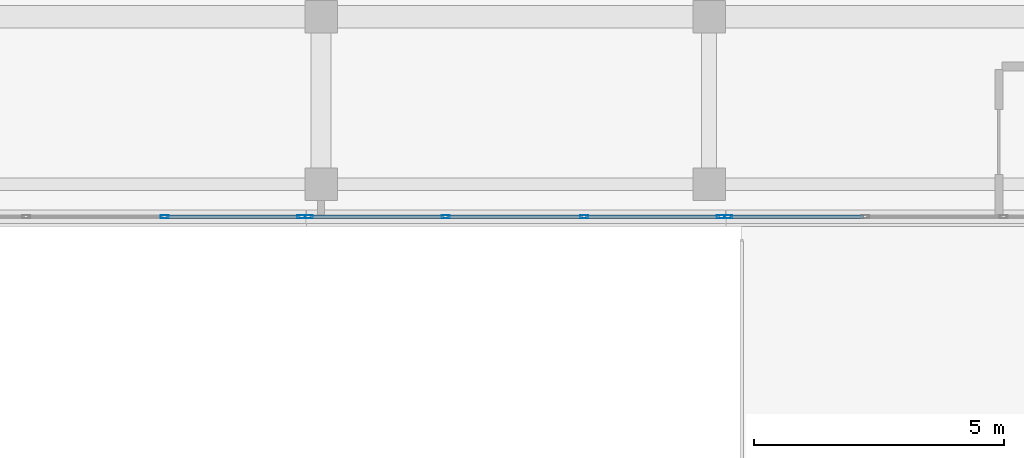
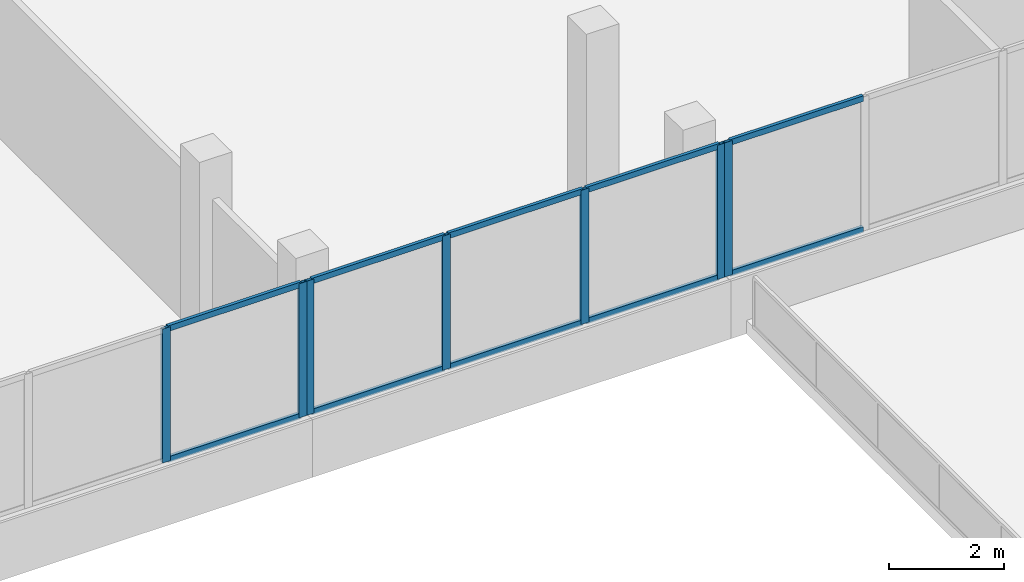
# One storey, part 35 of 76: 17 members, 3 elements without a shape of their own.
"""IFC4 building model written with IfcOpenShell, lengths in metres."""

import ifcopenshell
import ifcopenshell.guid

model = None  # the IFC model being written
_history = None  # IfcOwnerHistory: only IFC2X3 demands one
_inside = {}  # id of a spatial element -> (the spatial element, [elements in it])
_under = {}  # id of a project, library or spatial element -> (it, [spatial elements below it])
_declared = {}  # id of a project -> (the project, [libraries it declares])
_typed = {}  # id of a type object -> (the type object, [elements of that type])
_made_of = {}  # id of a material, layer set ... -> (it, [elements and type objects made of it])


def new_model(schema):
    """Start an empty IFC model of exactly this schema.

    Asked for "IFC4X3", IfcOpenShell would pick the latest addendum, in which some entities
    have other attributes; the version numbers below select the first issue.
    IFC2X3 requires an IfcOwnerHistory on every rooted entity: one is made here for all.
    """
    global model, _history
    if schema == "IFC4X3":
        model = ifcopenshell.file(schema_version=(4, 3, 0, 0))
    else:
        model = ifcopenshell.file(schema=schema)
    _inside.clear()
    _under.clear()
    _declared.clear()
    _typed.clear()
    _made_of.clear()
    _history = None
    if model.schema == "IFC2X3":
        org = make("IfcOrganization", Name="unknown")
        user = make(
            "IfcPersonAndOrganization",
            ThePerson=make("IfcPerson", FamilyName="unknown"),
            TheOrganization=org,
        )
        app = make(
            "IfcApplication",
            ApplicationDeveloper=org,
            Version="unknown",
            ApplicationFullName="unknown",
            ApplicationIdentifier="unknown",
        )
        _history = make(
            "IfcOwnerHistory",
            OwningUser=user,
            OwningApplication=app,
            ChangeAction="ADDED",
            CreationDate=0,
        )
    return model


def make(cls, **values):
    """One entity of the class cls with the attributes given. An attribute that is None is left unset."""
    return model.create_entity(
        cls, **{name: value for name, value in values.items() if value is not None}
    )


def rooted(cls, **values):
    """An entity with a GlobalId (a new one), such as an element, a storey or a relation."""
    return make(cls, GlobalId=ifcopenshell.guid.new(), OwnerHistory=_history, **values)


def si_unit(unit_type, name, prefix=None):
    """IfcSIUnit, for example si_unit("LENGTHUNIT", "METRE", prefix="MILLI")."""
    return make("IfcSIUnit", UnitType=unit_type, Prefix=prefix, Name=name)


def assignment(units):
    """IfcUnitAssignment: the units of a project."""
    return None if units is None else make("IfcUnitAssignment", Units=units)


def point(xyz):
    """IfcCartesianPoint."""
    return None if xyz is None else make("IfcCartesianPoint", Coordinates=xyz)


def direction(xyz):
    """IfcDirection."""
    return None if xyz is None else make("IfcDirection", DirectionRatios=xyz)


def frame(location, z_axis=None, x_axis=None):
    """IfcAxis2Placement3D, a coordinate frame: its origin and axes. An axis left out is left unset."""
    return make(
        "IfcAxis2Placement3D",
        Location=point(location),
        Axis=direction(z_axis),
        RefDirection=direction(x_axis),
    )


def frame_2d(location, x_axis=None):
    """IfcAxis2Placement2D, a coordinate frame in the plane: its origin and x axis."""
    return make(
        "IfcAxis2Placement2D", Location=point(location), RefDirection=direction(x_axis)
    )


def origin():
    """The frame at (0, 0, 0) with its axes left unset."""
    return frame((0.0, 0.0, 0.0))


def origin_2d():
    """The frame at (0, 0) in the plane with its x axis left unset."""
    return frame_2d((0.0, 0.0))


def place(relative_to, where):
    """IfcLocalPlacement: puts the frame where relative to a parent placement (None: the world)."""
    return make(
        "IfcLocalPlacement", PlacementRelTo=relative_to, RelativePlacement=where
    )


def context(
    kind, dimensions, precision=None, world=None, true_north=None, identifier=None
):
    """IfcGeometricRepresentationContext, for example the 3D "Model" context."""
    return make(
        "IfcGeometricRepresentationContext",
        ContextIdentifier=identifier,
        ContextType=kind,
        CoordinateSpaceDimension=dimensions,
        Precision=precision,
        WorldCoordinateSystem=world,
        TrueNorth=true_north,
    )


def subcontext(parent, identifier, kind, view, scale=None):
    """IfcGeometricRepresentationSubContext, for example "Body" below "Model"."""
    return make(
        "IfcGeometricRepresentationSubContext",
        ContextIdentifier=identifier,
        ContextType=kind,
        ParentContext=parent,
        TargetScale=scale,
        TargetView=view,
    )


def project(units=None, contexts=None):
    """IfcProject with its units and contexts."""
    return rooted(
        "IfcProject",
        Name="project",
        RepresentationContexts=contexts,
        UnitsInContext=assignment(units),
    )


def spatial(cls, under=None, at=None, **own):
    """A site, building, storey or space (cls), placed at a placement, below another one or the project."""
    s = rooted(cls, ObjectPlacement=at, **own)
    if under is not None:
        _under.setdefault(under.id(), (under, []))[1].append(s)
    return s


def profile(cls, at=None, kind="AREA", **sizes):
    """A parametric profile (cls). Its sizes go by their IFC names, for example OverallWidth=200.0."""
    return make(cls, ProfileType=kind, Position=at, **sizes)


def hollow_rectangle(**sizes):
    """IfcRectangleHollowProfileDef."""
    return profile("IfcRectangleHollowProfileDef", **sizes)


def extrude(swept, where, along, depth):
    """IfcExtrudedAreaSolid: the profile swept, set in the frame where, extruded along a direction by depth."""
    return make(
        "IfcExtrudedAreaSolid",
        SweptArea=swept,
        Position=where,
        ExtrudedDirection=direction(along),
        Depth=depth,
    )


def shape(context_of_items, identifier, shape_type, items):
    """IfcShapeRepresentation: the items that make up one representation, for example the "Body"."""
    return make(
        "IfcShapeRepresentation",
        ContextOfItems=context_of_items,
        RepresentationIdentifier=identifier,
        RepresentationType=shape_type,
        Items=items,
    )


def material(Name=None, Category=None):
    """IfcMaterial."""
    return make("IfcMaterial", Name=Name, Category=Category)


def material_profile(
    of_material, cross_section, Name=None, Category=None, Priority=None
):
    """IfcMaterialProfile: a cross section and its material."""
    return make(
        "IfcMaterialProfile",
        Name=Name,
        Material=of_material,
        Profile=cross_section,
        Priority=Priority,
        Category=Category,
    )


def profile_set(profiles, Name=None, composite=None):
    """IfcMaterialProfileSet."""
    return make(
        "IfcMaterialProfileSet",
        Name=Name,
        MaterialProfiles=profiles,
        CompositeProfile=composite,
    )


def made_of(thing, what):
    """Note that an element or type object is made of a material, layer set ...; save() writes the relation."""
    if what is not None:
        _made_of.setdefault(what.id(), (what, []))[1].append(thing)
    return thing


def type_object(cls, material=None, **own):
    """A type object (cls), such as IfcWallType, which elements share."""
    return made_of(rooted(cls, **own), material)


def element(
    cls,
    number,
    at=None,
    inside=None,
    cuts=None,
    type_object=None,
    material=None,
    context=None,
    identifier="Body",
    shape_type=None,
    held_by="IfcProductDefinitionShape",
    body=None,
    shapes=None,
    **own,
):
    """One element of the class cls, such as IfcWall. Its Tag is "e" and its number.

    at: its placement. inside: the storey or other place that contains it. cuts: it is an
    opening in that element (IfcRelVoidsElement). A single representation is given by context,
    identifier, shape_type and body (its items); several are given by shapes. held_by: the class
    of the entity that holds the representations. save() writes the other relations.
    """
    e = rooted(cls, Tag="e%d" % number, ObjectPlacement=at, **own)
    if body is not None:
        shapes = [shape(context, identifier, shape_type, body)]
    if shapes is not None:
        e.Representation = make(held_by, Representations=shapes)
    if inside is not None:
        _inside.setdefault(inside.id(), (inside, []))[1].append(e)
    if cuts is not None:
        rooted(
            "IfcRelVoidsElement", RelatingBuildingElement=cuts, RelatedOpeningElement=e
        )
    if type_object is not None:
        _typed.setdefault(type_object.id(), (type_object, []))[1].append(e)
    return made_of(e, material)


def aggregate(whole, parts):
    """IfcRelAggregates: a whole, such as a stair, and the parts it consists of."""
    return rooted("IfcRelAggregates", RelatingObject=whole, RelatedObjects=parts)


def save(model, path):
    """Write the relations noted so far, then the file.

    IfcRelAggregates (storeys below a building ...), IfcRelContainedInSpatialStructure (elements
    in a storey), IfcRelDefinesByType, IfcRelAssociatesMaterial and IfcRelDeclares: one each for
    every whole, place, type object, material and project.
    """
    for whole, parts in _under.values():
        aggregate(whole, parts)
    for where, things in _inside.values():
        rooted(
            "IfcRelContainedInSpatialStructure",
            RelatedElements=things,
            RelatingStructure=where,
        )
    for kind, things in _typed.values():
        rooted("IfcRelDefinesByType", RelatedObjects=things, RelatingType=kind)
    for what, things in _made_of.values():
        rooted("IfcRelAssociatesMaterial", RelatedObjects=things, RelatingMaterial=what)
    for by, libraries in _declared.values():
        rooted("IfcRelDeclares", RelatingContext=by, RelatedDefinitions=libraries)
    model.write(path)


model = new_model("IFC4")

# Units and contexts
model_context = context("Model", 3, precision=1e-05, world=origin(), true_north=direction((0.0, 1.0)))
body_context = subcontext(model_context, "Body", "Model", "MODEL_VIEW")
ifc_project = project(units=[si_unit("LENGTHUNIT", "METRE"), si_unit("AREAUNIT", "SQUARE_METRE"), si_unit("VOLUMEUNIT", "CUBIC_METRE"), si_unit("PLANEANGLEUNIT", "RADIAN"), si_unit("MASSUNIT", "GRAM", prefix="KILO")], contexts=[model_context])

# Site, building, storey
site_placement = place(None, origin())
site = spatial("IfcSite", under=ifc_project, at=site_placement, CompositionType="ELEMENT")
building_placement = place(site_placement, origin())
building = spatial("IfcBuilding", under=site, at=building_placement, Name="Selatvlak General Hospital", CompositionType="ELEMENT")
storey_placement = place(building_placement, frame((0.0, 0.0, 27.300048828125)))
storey = spatial("IfcBuildingStorey", under=building, at=storey_placement, Name="L06", CompositionType="ELEMENT", Elevation=27.300048828125)

# Curtain wall, member
ifc_material_1 = material(Name="Solar-control Low-E double glazing", Category="glass")
curtain_wall_type_1 = type_object("IfcCurtainWallType", Name="CW-CW-01", PredefinedType="USERDEFINED", material=ifc_material_1)
curtain_wall_1_placement = place(storey_placement, origin())
curtain_wall_1 = element("IfcCurtainWall", 1, at=curtain_wall_1_placement, inside=storey, type_object=curtain_wall_type_1, Name="Glazed facade curtain wall CW-L06-0623", ObjectType="UNITISED CURTAIN WALL", PredefinedType="USERDEFINED")
ifc_material_2 = material(Name="Dark anodised aluminium mullion", Category="aluminium")
ifc_material_profile_1 = material_profile(ifc_material_2, hollow_rectangle(XDim=0.06494140625, YDim=0.159912109375, WallThickness=0.00390625, at=origin_2d()), Name="AL-MUL 65x160x4")
ifc_profile_set_1 = profile_set([ifc_material_profile_1], Name="Dark anodised aluminium mullion")
member_type_1 = type_object("IfcMemberType", Name="CWM-01", PredefinedType="MULLION", material=ifc_profile_set_1)
member_1_placement = place(storey_placement, frame((148.531494140625, 88.0009765625, 0.93994140625), z_axis=(0.0, 0.0, 1.0), x_axis=(0.0, -1.0, 0.0)))
member_1 = element("IfcMember", 2, at=member_1_placement, type_object=member_type_1, Name="CW-01 mullion 4", PredefinedType="MULLION", context=body_context, shape_type="SweptSolid", body=[
    extrude(hollow_rectangle(XDim=0.06494140625, YDim=0.159912109375, WallThickness=0.00390625, at=origin_2d()), origin(), (0.0, 0.0, 1.0), 2.840087890625),
])

# Curtain wall, members
curtain_wall_type_2 = type_object("IfcCurtainWallType", Name="CW-CW-02", PredefinedType="USERDEFINED", material=ifc_material_1)
curtain_wall_2_placement = place(storey_placement, origin())
curtain_wall_2 = element("IfcCurtainWall", 3, at=curtain_wall_2_placement, inside=storey, type_object=curtain_wall_type_2, Name="Glazed facade curtain wall CW-L06-0624", ObjectType="UNITISED CURTAIN WALL", PredefinedType="USERDEFINED")
member_2_placement = place(storey_placement, frame((148.386474609375, 88.0009765625, 0.93994140625), z_axis=(0.0, 0.0, 1.0), x_axis=(0.0, -1.0, 0.0)))
member_2 = element("IfcMember", 4, at=member_2_placement, type_object=member_type_1, Name="CW-02 mullion 1", PredefinedType="MULLION", context=body_context, shape_type="SweptSolid", body=[
    extrude(hollow_rectangle(XDim=0.06494140625, YDim=0.159912109375, WallThickness=0.00390625, at=origin_2d()), origin(), (0.0, 0.0, 1.0), 2.840087890625),
])
member_3_placement = place(storey_placement, frame((145.652587890625, 88.0009765625, 0.93994140625), z_axis=(0.0, 0.0, 1.0), x_axis=(0.0, -1.0, 0.0)))
member_3 = element("IfcMember", 5, at=member_3_placement, type_object=member_type_1, Name="CW-02 mullion 2", PredefinedType="MULLION", context=body_context, shape_type="SweptSolid", body=[
    extrude(hollow_rectangle(XDim=0.06494140625, YDim=0.159912109375, WallThickness=0.00390625, at=origin_2d()), origin(), (0.0, 0.0, 1.0), 2.840087890625),
])
member_4_placement = place(storey_placement, frame((142.88623046875, 88.0009765625, 0.93994140625), z_axis=(0.0, 0.0, 1.0), x_axis=(0.0, -1.0, 0.0)))
member_4 = element("IfcMember", 6, at=member_4_placement, type_object=member_type_1, Name="CW-02 mullion 3", PredefinedType="MULLION", context=body_context, shape_type="SweptSolid", body=[
    extrude(hollow_rectangle(XDim=0.06494140625, YDim=0.159912109375, WallThickness=0.00390625, at=origin_2d()), origin(), (0.0, 0.0, 1.0), 2.840087890625),
])
member_5_placement = place(storey_placement, frame((140.152587890625, 88.0009765625, 0.93994140625), z_axis=(0.0, 0.0, 1.0), x_axis=(0.0, -1.0, 0.0)))
member_5 = element("IfcMember", 7, at=member_5_placement, type_object=member_type_1, Name="CW-02 mullion 4", PredefinedType="MULLION", context=body_context, shape_type="SweptSolid", body=[
    extrude(hollow_rectangle(XDim=0.06494140625, YDim=0.159912109375, WallThickness=0.00390625, at=origin_2d()), origin(), (0.0, 0.0, 1.0), 2.840087890625),
])

curtain_wall_3_placement = place(storey_placement, origin())
curtain_wall_3 = element("IfcCurtainWall", 8, at=curtain_wall_3_placement, inside=storey, type_object=curtain_wall_type_1, Name="Glazed facade curtain wall CW-L06-0625", ObjectType="UNITISED CURTAIN WALL", PredefinedType="USERDEFINED")
member_6_placement = place(storey_placement, frame((140.007568359375, 88.0009765625, 0.93994140625), z_axis=(0.0, 0.0, 1.0), x_axis=(0.0, -1.0, 0.0)))
member_6 = element("IfcMember", 9, at=member_6_placement, type_object=member_type_1, Name="CW-01 mullion 1", PredefinedType="MULLION", context=body_context, shape_type="SweptSolid", body=[
    extrude(hollow_rectangle(XDim=0.06494140625, YDim=0.159912109375, WallThickness=0.00390625, at=origin_2d()), origin(), (0.0, 0.0, 1.0), 2.840087890625),
])
member_7_placement = place(storey_placement, frame((137.273681640625, 88.0009765625, 0.93994140625), z_axis=(0.0, 0.0, 1.0), x_axis=(0.0, -1.0, 0.0)))
member_7 = element("IfcMember", 10, at=member_7_placement, type_object=member_type_1, Name="CW-01 mullion 2", PredefinedType="MULLION", context=body_context, shape_type="SweptSolid", body=[
    extrude(hollow_rectangle(XDim=0.06494140625, YDim=0.159912109375, WallThickness=0.00390625, at=origin_2d()), origin(), (0.0, 0.0, 1.0), 2.840087890625),
])

# Member
ifc_material_profile_2 = material_profile(ifc_material_2, hollow_rectangle(XDim=0.06494140625, YDim=0.1201171875, WallThickness=0.00390625, at=origin_2d()), Name="AL-TRN 65x120x4")
ifc_profile_set_2 = profile_set([ifc_material_profile_2], Name="Dark anodised aluminium mullion")
member_type_2 = type_object("IfcMemberType", Name="CWT-01", PredefinedType="USERDEFINED", material=ifc_profile_set_2)
member_8_placement = place(storey_placement, frame((151.23291015625, 88.0009765625, 0.972412109375), z_axis=(-1.0, 0.0, 0.0), x_axis=(0.0, -1.0, 0.0)))
member_8 = element("IfcMember", 11, at=member_8_placement, type_object=member_type_2, Name="CW-01 transom 3.1", ObjectType="TRANSOM", PredefinedType="USERDEFINED", context=body_context, shape_type="SweptSolid", body=[
    extrude(hollow_rectangle(XDim=0.06494140625, YDim=0.1201171875, WallThickness=0.00390625, at=origin_2d()), origin(), (0.0, 0.0, 1.0), 2.6689453125),
])

member_9_placement = place(storey_placement, frame((151.23291015625, 88.0009765625, 3.74755859375), z_axis=(-1.0, 0.0, 0.0), x_axis=(0.0, -1.0, 0.0)))
member_9 = element("IfcMember", 12, at=member_9_placement, type_object=member_type_2, Name="CW-01 transom 3.2", ObjectType="TRANSOM", PredefinedType="USERDEFINED", context=body_context, shape_type="SweptSolid", body=[
    extrude(hollow_rectangle(XDim=0.06494140625, YDim=0.1201171875, WallThickness=0.00390625, at=origin_2d()), origin(), (0.0, 0.0, 1.0), 2.6689453125),
])

aggregate(curtain_wall_1, [member_1, member_8, member_9])

member_10_placement = place(storey_placement, frame((148.35400390625, 88.0009765625, 0.972412109375), z_axis=(-1.0, 0.0, 0.0), x_axis=(0.0, -1.0, 0.0)))
member_10 = element("IfcMember", 13, at=member_10_placement, type_object=member_type_2, Name="CW-02 transom 1.1", ObjectType="TRANSOM", PredefinedType="USERDEFINED", context=body_context, shape_type="SweptSolid", body=[
    extrude(hollow_rectangle(XDim=0.06494140625, YDim=0.1201171875, WallThickness=0.00390625, at=origin_2d()), origin(), (0.0, 0.0, 1.0), 2.6689453125),
])

member_11_placement = place(storey_placement, frame((148.35400390625, 88.0009765625, 3.74755859375), z_axis=(-1.0, 0.0, 0.0), x_axis=(0.0, -1.0, 0.0)))
member_11 = element("IfcMember", 14, at=member_11_placement, type_object=member_type_2, Name="CW-02 transom 1.2", ObjectType="TRANSOM", PredefinedType="USERDEFINED", context=body_context, shape_type="SweptSolid", body=[
    extrude(hollow_rectangle(XDim=0.06494140625, YDim=0.1201171875, WallThickness=0.00390625, at=origin_2d()), origin(), (0.0, 0.0, 1.0), 2.6689453125),
])

member_12_placement = place(storey_placement, frame((145.6201171875, 88.0009765625, 0.972412109375), z_axis=(-1.0, 0.0, 0.0), x_axis=(0.0, -1.0, 0.0)))
member_12 = element("IfcMember", 15, at=member_12_placement, type_object=member_type_2, Name="CW-02 transom 2.1", ObjectType="TRANSOM", PredefinedType="USERDEFINED", context=body_context, shape_type="SweptSolid", body=[
    extrude(hollow_rectangle(XDim=0.06494140625, YDim=0.1201171875, WallThickness=0.00390625, at=origin_2d()), origin(), (0.0, 0.0, 1.0), 2.701171875),
])

member_13_placement = place(storey_placement, frame((145.6201171875, 88.0009765625, 3.74755859375), z_axis=(-1.0, 0.0, 0.0), x_axis=(0.0, -1.0, 0.0)))
member_13 = element("IfcMember", 16, at=member_13_placement, type_object=member_type_2, Name="CW-02 transom 2.2", ObjectType="TRANSOM", PredefinedType="USERDEFINED", context=body_context, shape_type="SweptSolid", body=[
    extrude(hollow_rectangle(XDim=0.06494140625, YDim=0.1201171875, WallThickness=0.00390625, at=origin_2d()), origin(), (0.0, 0.0, 1.0), 2.701171875),
])

member_14_placement = place(storey_placement, frame((142.853759765625, 88.0009765625, 0.972412109375), z_axis=(-1.0, 0.0, 0.0), x_axis=(0.0, -1.0, 0.0)))
member_14 = element("IfcMember", 17, at=member_14_placement, type_object=member_type_2, Name="CW-02 transom 3.1", ObjectType="TRANSOM", PredefinedType="USERDEFINED", context=body_context, shape_type="SweptSolid", body=[
    extrude(hollow_rectangle(XDim=0.06494140625, YDim=0.1201171875, WallThickness=0.00390625, at=origin_2d()), origin(), (0.0, 0.0, 1.0), 2.668701171875),
])

member_15_placement = place(storey_placement, frame((142.853759765625, 88.0009765625, 3.74755859375), z_axis=(-1.0, 0.0, 0.0), x_axis=(0.0, -1.0, 0.0)))
member_15 = element("IfcMember", 18, at=member_15_placement, type_object=member_type_2, Name="CW-02 transom 3.2", ObjectType="TRANSOM", PredefinedType="USERDEFINED", context=body_context, shape_type="SweptSolid", body=[
    extrude(hollow_rectangle(XDim=0.06494140625, YDim=0.1201171875, WallThickness=0.00390625, at=origin_2d()), origin(), (0.0, 0.0, 1.0), 2.668701171875),
])

aggregate(curtain_wall_2, [member_2, member_3, member_4, member_5, member_10, member_11, member_12, member_13, member_14, member_15])

member_16_placement = place(storey_placement, frame((139.97509765625, 88.0009765625, 0.972412109375), z_axis=(-1.0, 0.0, 0.0), x_axis=(0.0, -1.0, 0.0)))
member_16 = element("IfcMember", 19, at=member_16_placement, type_object=member_type_2, Name="CW-01 transom 1.1", ObjectType="TRANSOM", PredefinedType="USERDEFINED", context=body_context, shape_type="SweptSolid", body=[
    extrude(hollow_rectangle(XDim=0.06494140625, YDim=0.1201171875, WallThickness=0.00390625, at=origin_2d()), origin(), (0.0, 0.0, 1.0), 2.6689453125),
])

member_17_placement = place(storey_placement, frame((139.97509765625, 88.0009765625, 3.74755859375), z_axis=(-1.0, 0.0, 0.0), x_axis=(0.0, -1.0, 0.0)))
member_17 = element("IfcMember", 20, at=member_17_placement, type_object=member_type_2, Name="CW-01 transom 1.2", ObjectType="TRANSOM", PredefinedType="USERDEFINED", context=body_context, shape_type="SweptSolid", body=[
    extrude(hollow_rectangle(XDim=0.06494140625, YDim=0.1201171875, WallThickness=0.00390625, at=origin_2d()), origin(), (0.0, 0.0, 1.0), 2.6689453125),
])

aggregate(curtain_wall_3, [member_6, member_7, member_16, member_17])

save(model, "model.ifc")
